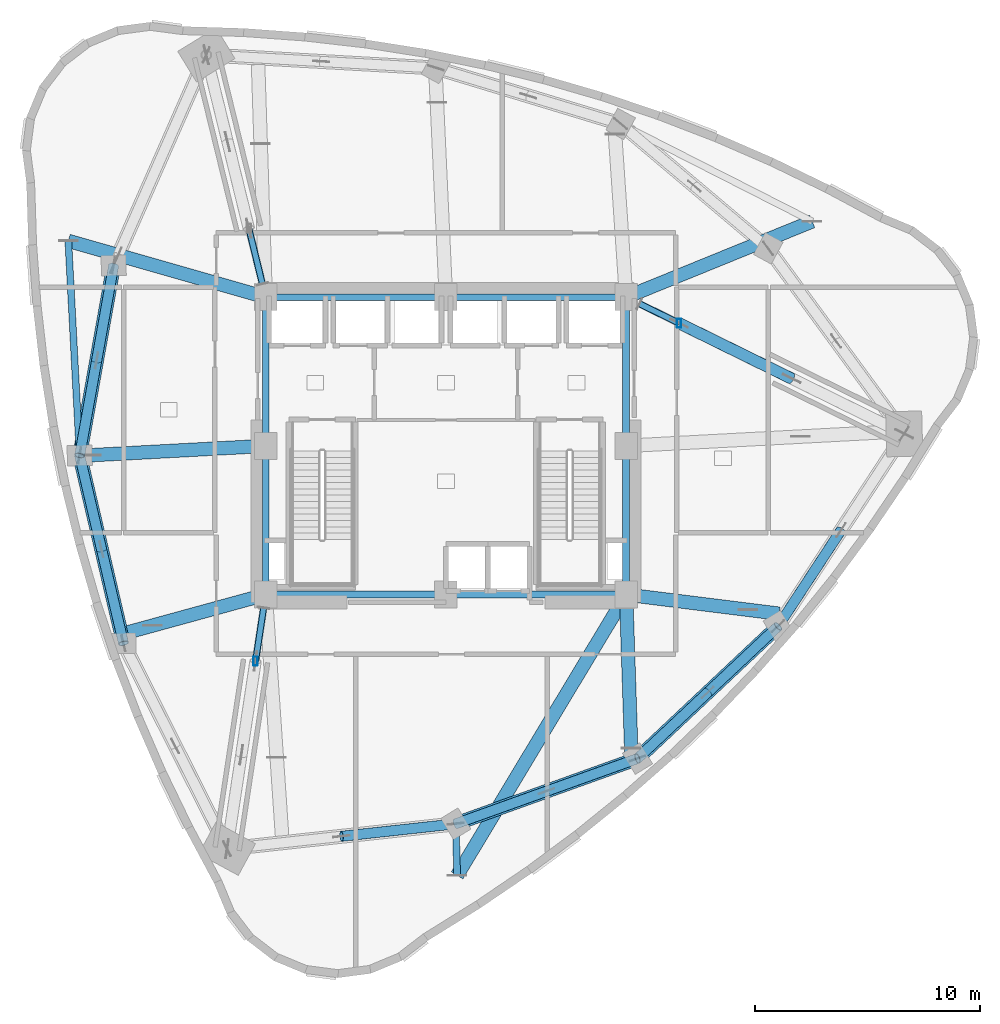
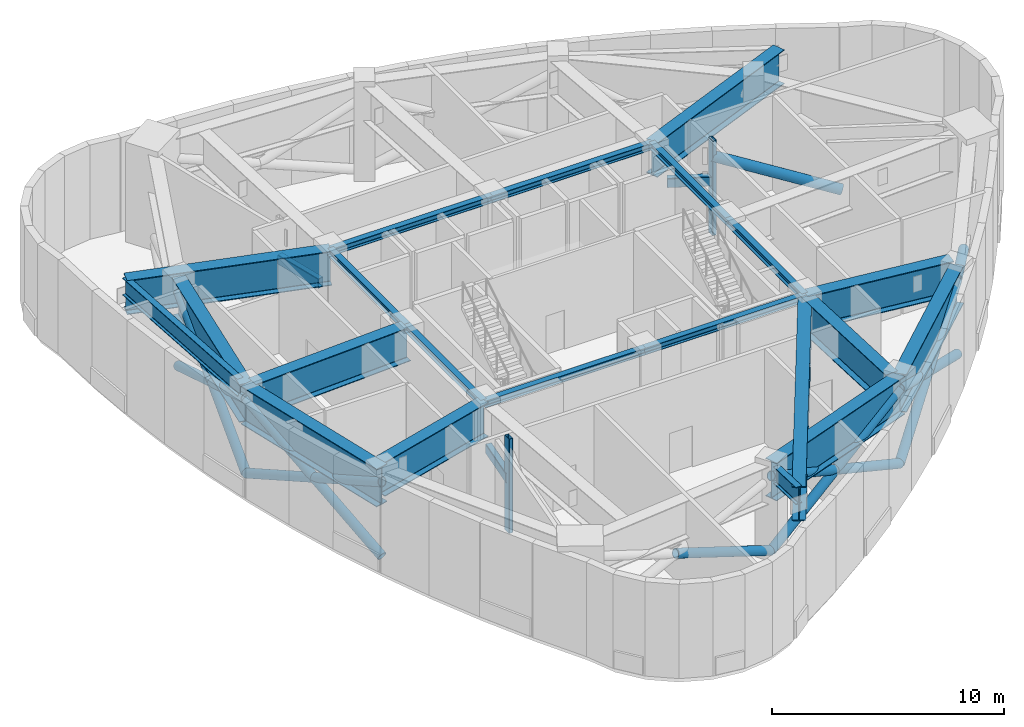
# One storey, part 2 of 12: 21 beams, 20 members.
"""IFC4 building model written with IfcOpenShell, lengths in metres."""

from ifc_helpers import new_model, si_unit, direction, frame, origin, origin_2d, place, context, subcontext, project, spatial, hollow_rectangle, hollow_circle, i_section, extrude, material, material_profile, profile_set, type_object, element, save


model = new_model("IFC4")

# Units and contexts
model_context = context("Model", 3, precision=1e-05, world=origin(), true_north=direction((0.0, 1.0)))
body_context = subcontext(model_context, "Body", "Model", "MODEL_VIEW")
ifc_project = project(units=[si_unit("LENGTHUNIT", "METRE"), si_unit("AREAUNIT", "SQUARE_METRE"), si_unit("VOLUMEUNIT", "CUBIC_METRE"), si_unit("PLANEANGLEUNIT", "RADIAN"), si_unit("MASSUNIT", "GRAM", prefix="KILO")], contexts=[model_context])

# Site, building, storey
site_placement = place(None, origin())
site = spatial("IfcSite", under=ifc_project, at=site_placement, CompositionType="ELEMENT")
building_placement = place(site_placement, origin())
building = spatial("IfcBuilding", under=site, at=building_placement, Name="Ndelora Gate Hotel", CompositionType="ELEMENT")
storey_placement = place(building_placement, frame((0.0, 0.0, 168.5)))
storey = spatial("IfcBuildingStorey", under=building, at=storey_placement, Name="L42", CompositionType="ELEMENT", Elevation=168.5)

# Beams
ifc_material_1 = material(Name="Steel S460", Category="steel")
ifc_material_profile_1 = material_profile(ifc_material_1, i_section(OverallWidth=0.300048828125, OverallDepth=0.89990234375, WebThickness=0.0185546875, FlangeThickness=0.034912109375, FilletRadius=0.030029296875, at=origin_2d()), Name="HEB 900")
ifc_profile_set_1 = profile_set([ifc_material_profile_1], Name="Steel S460")
beam_type_1 = type_object("IfcBeamType", Name="BM-BELT-900", PredefinedType="SPANDREL", material=ifc_profile_set_1)
beam_1_placement = place(storey_placement, frame((-16.759521484375, 9.099609375, 4.510009765625), z_axis=(0.052837990402, -0.998603097717, 0.0), x_axis=(0.998603097717, 0.052837990402, 0.0)))
element("IfcBeam", 1, at=beam_1_placement, inside=storey, type_object=beam_type_1, Name="L42 Setback Corner Transfer Edge Tie 1", PredefinedType="SPANDREL", context=body_context, shape_type="SweptSolid", body=[
    extrude(i_section(OverallWidth=0.300048828125, OverallDepth=0.89990234375, WebThickness=0.0185546875, FlangeThickness=0.034912109375, FilletRadius=0.030029296875, at=origin_2d()), origin(), (0.0, 0.0, 1.0), 9.088623046875),
])
beam_2_placement = place(storey_placement, frame((0.499267578125, -19.064208984375, 4.510009765625), z_axis=(-0.026261339006, 0.999655111563, 0.0), x_axis=(-0.999655111563, -0.026261339006, 0.0)))
element("IfcBeam", 2, at=beam_2_placement, inside=storey, type_object=beam_type_1, Name="L42 Setback Corner Transfer Edge Tie 2", PredefinedType="SPANDREL", context=body_context, shape_type="SweptSolid", body=[
    extrude(i_section(OverallWidth=0.300048828125, OverallDepth=0.89990234375, WebThickness=0.0185546875, FlangeThickness=0.034912109375, FilletRadius=0.030029296875, at=origin_2d()), origin(), (0.0, 0.0, 1.0), 1.8408203125),
])
ifc_material_2 = material(Name="Steel S355", Category="steel")
ifc_material_profile_2 = material_profile(ifc_material_2, i_section(OverallWidth=0.300048828125, OverallDepth=0.360107421875, WebThickness=0.012451171875, FlangeThickness=0.0224609375, FilletRadius=0.027099609375, at=origin_2d()), Name="HEB 360")
ifc_profile_set_2 = profile_set([ifc_material_profile_2], Name="Steel S355")
beam_type_2 = type_object("IfcBeamType", Name="BM-CORE-360", PredefinedType="BEAM", material=ifc_profile_set_2)
for number, where, z_axis, x_axis, name in (
    (3, (-8.0, 6.60009765625, 4.780029296875), (1.0, 0.0, 0.0), (0.0, 1.0, 0.0), "L42 Core Tie Girder CC7-CC6"),
    (4, (0.0, 6.60009765625, 4.780029296875), (1.0, 0.0, 0.0), (0.0, 1.0, 0.0), "L42 Core Tie Girder CC6-CC5"),
):
    element("IfcBeam", number, at=place(storey_placement, frame(where, z_axis=z_axis, x_axis=x_axis)), inside=storey, type_object=beam_type_2, Name=name, PredefinedType="BEAM", context=body_context, shape_type="SweptSolid", body=[
        extrude(i_section(OverallWidth=0.300048828125, OverallDepth=0.360107421875, WebThickness=0.012451171875, FlangeThickness=0.0224609375, FilletRadius=0.027099609375, at=origin_2d()), origin(), (0.0, 0.0, 1.0), 8.0),
    ])
for number, where, z_axis, x_axis, name in (
    (5, (-8.0, -6.60009765625, 4.780029296875), (0.0, 1.0, 0.0), (-1.0, 0.0, 0.0), "L42 Core Tie Girder CC1-CC8"),
    (6, (-8.0, 0.0, 4.780029296875), (0.0, 1.0, 0.0), (-1.0, 0.0, 0.0), "L42 Core Tie Girder CC8-CC7"),
    (7, (8.0, -6.60009765625, 4.780029296875), (0.0, 1.0, 0.0), (-1.0, 0.0, 0.0), "L42 Core Tie Girder CC3-CC4"),
    (8, (8.0, 0.0, 4.780029296875), (0.0, 1.0, 0.0), (-1.0, 0.0, 0.0), "L42 Core Tie Girder CC4-CC5"),
):
    element("IfcBeam", number, at=place(storey_placement, frame(where, z_axis=z_axis, x_axis=x_axis)), inside=storey, type_object=beam_type_2, Name=name, PredefinedType="BEAM", context=body_context, shape_type="SweptSolid", body=[
        extrude(i_section(OverallWidth=0.300048828125, OverallDepth=0.360107421875, WebThickness=0.012451171875, FlangeThickness=0.0224609375, FilletRadius=0.027099609375, at=origin_2d()), origin(), (0.0, 0.0, 1.0), 6.60009765625),
    ])
for number, where, z_axis, x_axis, name in (
    (9, (-8.0, -6.60009765625, 4.780029296875), (1.0, 0.0, 0.0), (0.0, 1.0, 0.0), "L42 Core Tie Girder CC1-CC2"),
    (10, (0.0, -6.60009765625, 4.780029296875), (1.0, 0.0, 0.0), (0.0, 1.0, 0.0), "L42 Core Tie Girder CC2-CC3"),
):
    element("IfcBeam", number, at=place(storey_placement, frame(where, z_axis=z_axis, x_axis=x_axis)), inside=storey, type_object=beam_type_2, Name=name, PredefinedType="BEAM", context=body_context, shape_type="SweptSolid", body=[
        extrude(i_section(OverallWidth=0.300048828125, OverallDepth=0.360107421875, WebThickness=0.012451171875, FlangeThickness=0.0224609375, FilletRadius=0.027099609375, at=origin_2d()), origin(), (0.0, 0.0, 1.0), 8.0),
    ])
ifc_material_profile_3 = material_profile(ifc_material_1, i_section(OverallWidth=0.60009765625, OverallDepth=1.800048828125, WebThickness=0.028076171875, FlangeThickness=0.0400390625, FilletRadius=0.02392578125, at=origin_2d()), Name="PG 1800x600x40")
ifc_profile_set_3 = profile_set([ifc_material_profile_3], Name="Steel S460")
beam_type_3 = type_object("IfcBeamType", Name="BM-TR-1800", PredefinedType="BEAM", material=ifc_profile_set_3)
beam_3_placement = place(storey_placement, frame((-8.0, 6.60009765625, 4.06005859375), z_axis=(-0.96161693978, 0.274395446625, 0.0), x_axis=(-0.274395446625, -0.96161693978, 0.0)))
element("IfcBeam", 11, at=beam_3_placement, inside=storey, type_object=beam_type_3, Name="L42 Setback Two-Support Radial Transfer Girder 1", PredefinedType="BEAM", context=body_context, shape_type="SweptSolid", body=[
    extrude(i_section(OverallWidth=0.60009765625, OverallDepth=1.800048828125, WebThickness=0.028076171875, FlangeThickness=0.0400390625, FilletRadius=0.02392578125, at=origin_2d()), origin(), (0.0, 0.0, 1.0), 9.109130859375),
])
beam_4_placement = place(storey_placement, frame((8.0, -6.60009765625, 4.06005859375), z_axis=(-0.515620753203, -0.856816922607, 0.0), x_axis=(0.856816922607, -0.515620753203, 0.0)))
element("IfcBeam", 12, at=beam_4_placement, inside=storey, type_object=beam_type_3, Name="L42 Setback Two-Support Radial Transfer Girder 2", PredefinedType="BEAM", context=body_context, shape_type="SweptSolid", body=[
    extrude(i_section(OverallWidth=0.60009765625, OverallDepth=1.800048828125, WebThickness=0.028076171875, FlangeThickness=0.0400390625, FilletRadius=0.02392578125, at=origin_2d()), origin(), (0.0, 0.0, 1.0), 14.546875),
])
beam_5_placement = place(storey_placement, frame((8.0, 6.60009765625, 4.06005859375), z_axis=(0.926132737458, 0.377197763261, 0.0), x_axis=(-0.377197763261, 0.926132737458, 0.0)))
element("IfcBeam", 13, at=beam_5_placement, inside=storey, type_object=beam_type_3, Name="L42 Setback Two-Support Radial Transfer Girder 3", PredefinedType="BEAM", context=body_context, shape_type="SweptSolid", body=[
    extrude(i_section(OverallWidth=0.60009765625, OverallDepth=1.800048828125, WebThickness=0.028076171875, FlangeThickness=0.0400390625, FilletRadius=0.02392578125, at=origin_2d()), origin(), (0.0, 0.0, 1.0), 8.919189453125),
])
beam_6_placement = place(storey_placement, frame((-8.0, 0.0, 4.06005859375), z_axis=(-0.998582803919, -0.053220143911, 0.0), x_axis=(0.053220143911, -0.998582803919, 0.0)))
element("IfcBeam", 14, at=beam_6_placement, inside=storey, type_object=beam_type_3, Name="L42 Setback Two-Support Radial Transfer Girder 4", PredefinedType="BEAM", context=body_context, shape_type="SweptSolid", body=[
    extrude(i_section(OverallWidth=0.60009765625, OverallDepth=1.800048828125, WebThickness=0.028076171875, FlangeThickness=0.0400390625, FilletRadius=0.02392578125, at=origin_2d()), origin(), (0.0, 0.0, 1.0), 7.963623046875),
])
beam_7_placement = place(storey_placement, frame((-8.0, -6.60009765625, 4.06005859375), z_axis=(-0.964432470302, -0.264329359374, 0.0), x_axis=(0.264329359374, -0.964432470302, 0.0)))
element("IfcBeam", 15, at=beam_7_placement, inside=storey, type_object=beam_type_3, Name="L42 Setback Two-Support Radial Transfer Girder 5", PredefinedType="BEAM", context=body_context, shape_type="SweptSolid", body=[
    extrude(i_section(OverallWidth=0.60009765625, OverallDepth=1.800048828125, WebThickness=0.028076171875, FlangeThickness=0.0400390625, FilletRadius=0.02392578125, at=origin_2d()), origin(), (0.0, 0.0, 1.0), 6.33984375),
])
beam_8_placement = place(storey_placement, frame((8.0, -6.60009765625, 4.06005859375), z_axis=(0.032810520626, -0.999461589925, 0.0), x_axis=(0.999461589925, 0.032810520626, 0.0)))
element("IfcBeam", 16, at=beam_8_placement, inside=storey, type_object=beam_type_3, Name="L42 Setback Two-Support Radial Transfer Girder 7", PredefinedType="BEAM", context=body_context, shape_type="SweptSolid", body=[
    extrude(i_section(OverallWidth=0.60009765625, OverallDepth=1.800048828125, WebThickness=0.028076171875, FlangeThickness=0.0400390625, FilletRadius=0.02392578125, at=origin_2d()), origin(), (0.0, 0.0, 1.0), 7.076416015625),
])
beam_9_placement = place(storey_placement, frame((8.0, -6.60009765625, 4.06005859375), z_axis=(0.992266345394, -0.12412695033, 0.0), x_axis=(0.12412695033, 0.992266345394, 0.0)))
element("IfcBeam", 17, at=beam_9_placement, inside=storey, type_object=beam_type_3, Name="L42 Setback Two-Support Radial Transfer Girder 8", PredefinedType="BEAM", context=body_context, shape_type="SweptSolid", body=[
    extrude(i_section(OverallWidth=0.60009765625, OverallDepth=1.800048828125, WebThickness=0.028076171875, FlangeThickness=0.0400390625, FilletRadius=0.02392578125, at=origin_2d()), origin(), (0.0, 0.0, 1.0), 6.8427734375),
])
ifc_material_profile_4 = material_profile(ifc_material_1, i_section(OverallWidth=0.6201171875, OverallDepth=2.0, WebThickness=0.028076171875, FlangeThickness=0.0400390625, FilletRadius=0.02392578125, at=origin_2d()), Name="PG 2000x620x40")
ifc_profile_set_4 = profile_set([ifc_material_profile_4], Name="Steel S460")
beam_type_4 = type_object("IfcBeamType", Name="BM-TR-2000", PredefinedType="BEAM", material=ifc_profile_set_4)
beam_10_placement = place(storey_placement, frame((-14.74658203125, 8.006591796875, 3.9599609375), z_axis=(-0.176130938817, -0.984366746894, 0.0), x_axis=(0.984366746894, -0.176130938817, 0.0)))
element("IfcBeam", 18, at=beam_10_placement, inside=storey, type_object=beam_type_4, Name="L42 Belt Truss Top Chord Girder 2", PredefinedType="BEAM", context=body_context, shape_type="SweptSolid", body=[
    extrude(i_section(OverallWidth=0.6201171875, OverallDepth=2.0, WebThickness=0.028076171875, FlangeThickness=0.0400390625, FilletRadius=0.02392578125, at=origin_2d()), origin(), (0.0, 0.0, 1.0), 8.56640625),
])
beam_11_placement = place(storey_placement, frame((-16.25537109375, -0.42578125, 3.9599609375), z_axis=(0.227404398157, -0.973800410607, 0.0), x_axis=(0.973800410607, 0.227404398157, 0.0)))
element("IfcBeam", 19, at=beam_11_placement, inside=storey, type_object=beam_type_4, Name="L42 Belt Truss Top Chord Girder 3", PredefinedType="BEAM", context=body_context, shape_type="SweptSolid", body=[
    extrude(i_section(OverallWidth=0.6201171875, OverallDepth=2.0, WebThickness=0.028076171875, FlangeThickness=0.0400390625, FilletRadius=0.02392578125, at=origin_2d()), origin(), (0.0, 0.0, 1.0), 8.566162109375),
])
beam_12_placement = place(storey_placement, frame((0.439208984375, -16.7744140625, 3.9599609375), z_axis=(0.941155870835, 0.337972819607, 0.0), x_axis=(-0.337972819607, 0.941155870835, 0.0)))
element("IfcBeam", 20, at=beam_12_placement, inside=storey, type_object=beam_type_4, Name="L42 Belt Truss Top Chord Girder 6", PredefinedType="BEAM", context=body_context, shape_type="SweptSolid", body=[
    extrude(i_section(OverallWidth=0.6201171875, OverallDepth=2.0, WebThickness=0.028076171875, FlangeThickness=0.0400390625, FilletRadius=0.02392578125, at=origin_2d()), origin(), (0.0, 0.0, 1.0), 8.5693359375),
])
beam_13_placement = place(storey_placement, frame((8.50439453125, -13.878173828125, 3.9599609375), z_axis=(0.728399016952, 0.68515317419, 0.0), x_axis=(-0.68515317419, 0.728399016952, 0.0)))
element("IfcBeam", 21, at=beam_13_placement, inside=storey, type_object=beam_type_4, Name="L42 Belt Truss Top Chord Girder 7", PredefinedType="BEAM", context=body_context, shape_type="SweptSolid", body=[
    extrude(i_section(OverallWidth=0.6201171875, OverallDepth=2.0, WebThickness=0.028076171875, FlangeThickness=0.0400390625, FilletRadius=0.02392578125, at=origin_2d()), origin(), (0.0, 0.0, 1.0), 8.56982421875),
])

# Members
ifc_material_profile_5 = material_profile(ifc_material_1, hollow_circle(Radius=0.228515625, WallThickness=0.02490234375, at=origin_2d()), Name="CHS 457x25")
ifc_profile_set_5 = profile_set([ifc_material_profile_5], Name="Steel S460")
member_type_1 = type_object("IfcMemberType", Name="MB-BELT-457", PredefinedType="BRACE", material=ifc_profile_set_5)
member_1_placement = place(storey_placement, frame((-14.74658203125, 8.006591796875, 0.239990234375), z_axis=(-0.160158991902, -0.895102171732, 0.416102390612), x_axis=(0.984366746894, -0.176130938817, 0.0)))
element("IfcMember", 22, at=member_1_placement, inside=storey, type_object=member_type_1, Name="L42 Storey-Deep Belt Truss Continuous Diagonal 2A", PredefinedType="BRACE", context=body_context, shape_type="SweptSolid", body=[
    extrude(hollow_circle(Radius=0.228515625, WallThickness=0.02490234375, at=origin_2d()), origin(), (0.0, 0.0, 1.0), 9.420654296875),
])
member_2_placement = place(storey_placement, frame((-16.25537109375, -0.42578125, 0.239990234375), z_axis=(0.160155276738, 0.895107323389, 0.4160927384), x_axis=(-0.984367630992, 0.17612599767, 0.0)))
element("IfcMember", 23, at=member_2_placement, inside=storey, type_object=member_type_1, Name="L42 Storey-Deep Belt Truss Split Diagonal 2B-Lower", PredefinedType="BRACE", context=body_context, shape_type="SweptSolid", body=[
    extrude(hollow_circle(Radius=0.228515625, WallThickness=0.02490234375, at=origin_2d()), origin(), (0.0, 0.0, 1.0), 4.71044921875),
])
member_3_placement = place(storey_placement, frame((-15.5009765625, 3.79052734375, 2.199951171875), z_axis=(0.160162707217, 0.895097019718, 0.416112043216), x_axis=(-0.984365862722, 0.176135880237, 0.0)))
element("IfcMember", 24, at=member_3_placement, inside=storey, type_object=member_type_1, Name="L42 Storey-Deep Belt Truss Split Diagonal 2B-Upper", PredefinedType="BRACE", context=body_context, shape_type="SweptSolid", body=[
    extrude(hollow_circle(Radius=0.228515625, WallThickness=0.02490234375, at=origin_2d()), origin(), (0.0, 0.0, 1.0), 4.710205078125),
])
member_4_placement = place(storey_placement, frame((-16.25537109375, -0.42578125, 0.239990234375), z_axis=(0.206782593977, -0.885492877678, 0.416104941583), x_axis=(0.973800410607, 0.227404398157, 0.0)))
element("IfcMember", 25, at=member_4_placement, inside=storey, type_object=member_type_1, Name="L42 Storey-Deep Belt Truss Continuous Diagonal 3A", PredefinedType="BRACE", context=body_context, shape_type="SweptSolid", body=[
    extrude(hollow_circle(Radius=0.228515625, WallThickness=0.02490234375, at=origin_2d()), origin(), (0.0, 0.0, 1.0), 9.42041015625),
])
for number, where, z_axis, x_axis, name in (
    (26, (-14.307373046875, -8.767578125, 0.239990234375), (-0.206757786061, 0.885497622729, 0.416107171345), (-0.973806721579, -0.227377371364, 0.0), "L42 Storey-Deep Belt Truss Split Diagonal 3B-Lower"),
    (27, (-15.28125, -4.5966796875, 2.199951171875), (-0.206807401494, 0.885488132109, 0.416102711576), (-0.973794098967, -0.227431424425, 0.0), "L42 Storey-Deep Belt Truss Split Diagonal 3B-Upper"),
):
    element("IfcMember", number, at=place(storey_placement, frame(where, z_axis=z_axis, x_axis=x_axis)), inside=storey, type_object=member_type_1, Name=name, PredefinedType="BRACE", context=body_context, shape_type="SweptSolid", body=[
        extrude(hollow_circle(Radius=0.228515625, WallThickness=0.02490234375, at=origin_2d()), origin(), (0.0, 0.0, 1.0), 4.710205078125),
    ])
member_5_placement = place(storey_placement, frame((0.439208984375, -16.7744140625, 0.239990234375), z_axis=(-0.928028776138, -0.101521981861, 0.358407418812), x_axis=(0.108746527545, -0.994069511024, 0.0)))
element("IfcMember", 28, at=member_5_placement, inside=storey, type_object=member_type_1, Name="L42 Storey-Deep Belt Truss Split Diagonal 5B-Lower", PredefinedType="BRACE", context=body_context, shape_type="SweptSolid", body=[
    extrude(hollow_circle(Radius=0.228515625, WallThickness=0.02490234375, at=origin_2d()), origin(), (0.0, 0.0, 1.0), 5.468505859375),
])
member_6_placement = place(storey_placement, frame((0.439208984375, -16.7744140625, 0.239990234375), z_axis=(0.855864305825, 0.307344279098, 0.415975701357), x_axis=(-0.337972819607, 0.941155870835, 0.0)))
element("IfcMember", 29, at=member_6_placement, inside=storey, type_object=member_type_1, Name="L42 Storey-Deep Belt Truss Continuous Diagonal 6A", PredefinedType="BRACE", context=body_context, shape_type="SweptSolid", body=[
    extrude(hollow_circle(Radius=0.228515625, WallThickness=0.02490234375, at=origin_2d()), origin(), (0.0, 0.0, 1.0), 9.42333984375),
])
for number, where, z_axis, x_axis, name in (
    (30, (8.50439453125, -13.878173828125, 0.239990234375), (-0.855878050302, -0.307314003895, 0.415969789794), (0.337938522426, -0.941168186383, 0.0), "L42 Storey-Deep Belt Truss Split Diagonal 6B-Lower"),
    (31, (4.4716796875, -15.326171875, 2.199951171875), (-0.855850559982, -0.307374554811, 0.415981612614), (0.338007117517, -0.941143553613, 0.0), "L42 Storey-Deep Belt Truss Split Diagonal 6B-Upper"),
):
    element("IfcMember", number, at=place(storey_placement, frame(where, z_axis=z_axis, x_axis=x_axis)), inside=storey, type_object=member_type_1, Name=name, PredefinedType="BRACE", context=body_context, shape_type="SweptSolid", body=[
        extrude(hollow_circle(Radius=0.228515625, WallThickness=0.02490234375, at=origin_2d()), origin(), (0.0, 0.0, 1.0), 4.711669921875),
    ])
member_7_placement = place(storey_placement, frame((8.50439453125, -13.878173828125, 0.239990234375), z_axis=(0.662392253364, 0.623065304028, 0.415964096527), x_axis=(-0.68515317419, 0.728399016952, 0.0)))
element("IfcMember", 32, at=member_7_placement, inside=storey, type_object=member_type_1, Name="L42 Storey-Deep Belt Truss Continuous Diagonal 7A", PredefinedType="BRACE", context=body_context, shape_type="SweptSolid", body=[
    extrude(hollow_circle(Radius=0.228515625, WallThickness=0.02490234375, at=origin_2d()), origin(), (0.0, 0.0, 1.0), 9.423583984375),
])
for number, where, z_axis, x_axis, name in (
    (33, (14.74658203125, -8.006591796875, 0.239990234375), (-0.662392253364, -0.623065304028, 0.415964096527), (0.68515317419, -0.728399016952, 0.0), "L42 Storey-Deep Belt Truss Split Diagonal 7B-Lower"),
    (34, (11.62548828125, -10.9423828125, 2.199951171875), (-0.662392253364, -0.623065304028, 0.415964096527), (0.68515317419, -0.728399016952, 0.0), "L42 Storey-Deep Belt Truss Split Diagonal 7B-Upper"),
):
    element("IfcMember", number, at=place(storey_placement, frame(where, z_axis=z_axis, x_axis=x_axis)), inside=storey, type_object=member_type_1, Name=name, PredefinedType="BRACE", context=body_context, shape_type="SweptSolid", body=[
        extrude(hollow_circle(Radius=0.228515625, WallThickness=0.02490234375, at=origin_2d()), origin(), (0.0, 0.0, 1.0), 4.7119140625),
    ])
member_8_placement = place(storey_placement, frame((17.545166015625, -3.737060546875, 2.199951171875), z_axis=(-0.511782230571, -0.780777078271, 0.358421682546), x_axis=(0.836343937987, -0.548205086982, 0.0)))
element("IfcMember", 35, at=member_8_placement, inside=storey, type_object=member_type_1, Name="L42 Storey-Deep Belt Truss Split Diagonal 8B-Upper", PredefinedType="BRACE", context=body_context, shape_type="SweptSolid", body=[
    extrude(hollow_circle(Radius=0.228515625, WallThickness=0.02490234375, at=origin_2d()), origin(), (0.0, 0.0, 1.0), 5.46826171875),
])
ifc_material_profile_6 = material_profile(ifc_material_1, hollow_circle(Radius=0.25390625, WallThickness=0.028076171875, at=origin_2d()), Name="CHS 508x28")
ifc_profile_set_6 = profile_set([ifc_material_profile_6], Name="Steel S460")
member_type_2 = type_object("IfcMemberType", Name="MB-OUT-508", PredefinedType="BRACE", material=ifc_profile_set_6)
member_9_placement = place(storey_placement, frame((10.35009765625, 5.44482421875, 4.06005859375), z_axis=(0.843155626203, -0.414430331734, -0.34254355948), x_axis=(0.441117054327, 0.897449577626, 0.0)))
element("IfcMember", 36, at=member_9_placement, inside=storey, type_object=member_type_2, Name="L42 Core-to-Mega-Column Outrigger Split Arm 3B-Upper", PredefinedType="BRACE", context=body_context, shape_type="SweptSolid", body=[
    extrude(hollow_circle(Radius=0.25390625, WallThickness=0.028076171875, at=origin_2d()), origin(), (0.0, 0.0, 1.0), 5.92626953125),
])
ifc_material_profile_7 = material_profile(ifc_material_2, hollow_rectangle(XDim=0.199951171875, YDim=0.39990234375, WallThickness=0.01611328125, InnerFilletRadius=0.01611328125, OuterFilletRadius=0.031982421875, at=origin_2d()), Name="RHS 400x200x16")
ifc_profile_set_7 = profile_set([ifc_material_profile_7], Name="Steel S355")
member_type_3 = type_object("IfcMemberType", Name="MB-POST-400", PredefinedType="POST", material=ifc_profile_set_7)
for number, where, z_axis, x_axis, name in (
    (37, (-8.447265625, -9.550048828125, 0.0), (0.0, 0.0, 1.0), (1.0, 0.0, 0.0), "L42 Outrigger Spine Vertical Post 2"),
    (38, (10.35009765625, 5.44482421875, 0.0), (0.0, 0.0, 1.0), (1.0, 0.0, 0.0), "L42 Outrigger Spine Vertical Post 3"),
):
    element("IfcMember", number, at=place(storey_placement, frame(where, z_axis=z_axis, x_axis=x_axis)), inside=storey, type_object=member_type_3, Name=name, PredefinedType="POST", context=body_context, shape_type="SweptSolid", body=[
        extrude(hollow_rectangle(XDim=0.199951171875, YDim=0.39990234375, WallThickness=0.01611328125, InnerFilletRadius=0.01611328125, OuterFilletRadius=0.031982421875, at=origin_2d()), origin(), (0.0, 0.0, 1.0), 4.9599609375),
    ])
ifc_material_profile_8 = material_profile(ifc_material_1, hollow_rectangle(XDim=0.300048828125, YDim=0.5, WallThickness=0.02001953125, InnerFilletRadius=0.02001953125, OuterFilletRadius=0.0400390625, at=origin_2d()), Name="RHS 500x300x20")
ifc_profile_set_8 = profile_set([ifc_material_profile_8], Name="Steel S460")
member_type_4 = type_object("IfcMemberType", Name="MB-STRUT-500", PredefinedType="STRUT", material=ifc_profile_set_8)
member_10_placement = place(storey_placement, frame((-8.14453125, 7.18994140625, 2.800048828125), z_axis=(-0.237905848375, 0.971288220514, 0.0), x_axis=(-0.971288220514, -0.237905848375, 0.0)))
element("IfcMember", 39, at=member_10_placement, inside=storey, type_object=member_type_4, Name="L42 Outrigger Overhead Corridor Tie Strut 1", PredefinedType="STRUT", context=body_context, shape_type="SweptSolid", body=[
    extrude(hollow_rectangle(XDim=0.300048828125, YDim=0.5, WallThickness=0.02001953125, InnerFilletRadius=0.02001953125, OuterFilletRadius=0.0400390625, at=origin_2d()), origin(), (0.0, 0.0, 1.0), 2.53271484375),
])
member_11_placement = place(storey_placement, frame((-8.08935546875, -7.18994140625, 2.800048828125), z_axis=(-0.14993565525, -0.988695756684, 0.0), x_axis=(0.988695756684, -0.14993565525, 0.0)))
element("IfcMember", 40, at=member_11_placement, inside=storey, type_object=member_type_4, Name="L42 Outrigger Overhead Corridor Tie Strut 2", PredefinedType="STRUT", context=body_context, shape_type="SweptSolid", body=[
    extrude(hollow_rectangle(XDim=0.300048828125, YDim=0.5, WallThickness=0.02001953125, InnerFilletRadius=0.02001953125, OuterFilletRadius=0.0400390625, at=origin_2d()), origin(), (0.0, 0.0, 1.0), 2.38720703125),
])
member_12_placement = place(storey_placement, frame((8.590087890625, 6.31005859375, 2.800048828125), z_axis=(0.897419458095, -0.44117832702, 0.0), x_axis=(0.44117832702, 0.897419458095, 0.0)))
element("IfcMember", 41, at=member_12_placement, inside=storey, type_object=member_type_4, Name="L42 Outrigger Overhead Corridor Tie Strut 3", PredefinedType="STRUT", context=body_context, shape_type="SweptSolid", body=[
    extrude(hollow_rectangle(XDim=0.300048828125, YDim=0.5, WallThickness=0.02001953125, InnerFilletRadius=0.02001953125, OuterFilletRadius=0.0400390625, at=origin_2d()), origin(), (0.0, 0.0, 1.0), 1.961181640625),
])

save(model, "model.ifc")
